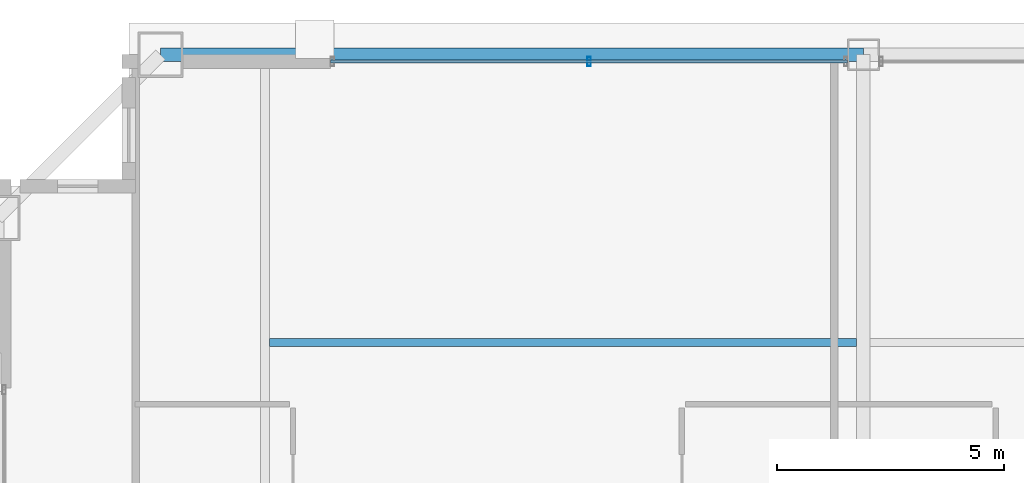
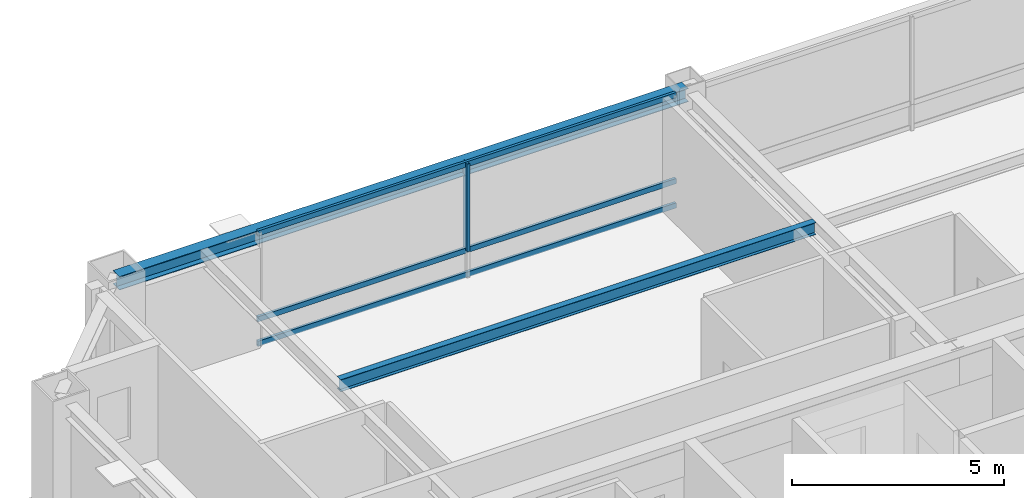
# One storey, part 17 of 34: 4 members, 2 beams, 1 element without a shape of its own.
"""IFC4 building model written with IfcOpenShell, lengths in metres."""

from ifc_helpers import new_model, si_unit, direction, frame, origin, origin_2d, place, context, subcontext, project, spatial, hollow_rectangle, i_section, extrude, source, transform, mapped, material, layer, layer_set, material_profile, profile_set, type_object, element, aggregate, save


model = new_model("IFC4")

# Units and contexts
model_context = context("Model", 3, precision=1e-05, world=origin(), true_north=direction((0.0, 1.0)))
body_context = subcontext(model_context, "Body", "Model", "MODEL_VIEW")
ifc_project = project(units=[si_unit("LENGTHUNIT", "METRE"), si_unit("AREAUNIT", "SQUARE_METRE"), si_unit("VOLUMEUNIT", "CUBIC_METRE"), si_unit("PLANEANGLEUNIT", "RADIAN"), si_unit("MASSUNIT", "GRAM", prefix="KILO"), si_unit("THERMODYNAMICTEMPERATUREUNIT", "KELVIN"), si_unit("POWERUNIT", "WATT")], contexts=[model_context])

# Site, building, storey
site_placement = place(None, origin())
site = spatial("IfcSite", under=ifc_project, at=site_placement, CompositionType="ELEMENT")
building_placement = place(site_placement, origin())
building = spatial("IfcBuilding", under=site, at=building_placement, Name="Yuzanri Waterfront Tower", CompositionType="ELEMENT")
storey_placement = place(building_placement, frame((0.0, 0.0, 325.199951171875)))
storey = spatial("IfcBuildingStorey", under=building, at=storey_placement, Name="L87", CompositionType="ELEMENT", Elevation=325.199951171875)

# Beams
ifc_material_1 = material(Name="Steel Q355B", Category="steel")
ifc_material_profile_1 = material_profile(ifc_material_1, i_section(OverallWidth=0.175048828125, OverallDepth=0.35009765625, WebThickness=0.007080078125, FlangeThickness=0.010986328125, at=origin_2d()), Name="HN 350x175x7x11")
ifc_profile_set_1 = profile_set([ifc_material_profile_1], Name="Steel Q355B")
beam_type_1 = type_object("IfcBeamType", Name="Floor Joist Q355B HN 350x175", PredefinedType="JOIST", material=ifc_profile_set_1)
shared_shape_1 = source(origin(), body_context, "Body", "SweptSolid", [
    extrude(i_section(OverallWidth=0.175048828125, OverallDepth=0.35009765625, WebThickness=0.007080078125, FlangeThickness=0.010986328125, at=origin_2d()), origin(), (0.0, 0.0, 1.0), 12.9501953125),
])
beam_1_placement = place(storey_placement, frame((23.89990234375, 38.550048828125, 3.10498046875), z_axis=(1.0, 0.0, 0.0), x_axis=(0.0, 1.0, 0.0)))
element("IfcBeam", 1, at=beam_1_placement, inside=storey, type_object=beam_type_1, Name="L87 North Bay Joist W", PredefinedType="JOIST", context=body_context, shape_type="MappedRepresentation", body=[
    mapped(shared_shape_1, transform((0.0, 0.0, 0.0), scale=1.0)),
])
ifc_material_2 = material(Name="Steel Q355B", Category="steel")
ifc_material_profile_2 = material_profile(ifc_material_2, i_section(OverallWidth=0.300048828125, OverallDepth=0.389892578125, WebThickness=0.010009765625, FlangeThickness=0.01611328125, at=origin_2d()), Name="HM 390x300x10x16")
ifc_profile_set_2 = profile_set([ifc_material_profile_2], Name="Steel Q355B")
beam_type_2 = type_object("IfcBeamType", Name="Perimeter Spandrel Q355B HM 390x300", PredefinedType="SPANDREL", material=ifc_profile_set_2)
shared_shape_2 = source(origin(), body_context, "Body", "SweptSolid", [
    extrude(i_section(OverallWidth=0.300048828125, OverallDepth=0.389892578125, WebThickness=0.010009765625, FlangeThickness=0.01611328125, at=origin_2d()), origin(), (0.0, 0.0, 1.0), 15.5),
])
beam_2_placement = place(storey_placement, frame((37.0, 44.89990234375, 3.0849609375), z_axis=(-1.0, 0.0, 0.0), x_axis=(0.0, -1.0, 0.0)))
element("IfcBeam", 2, at=beam_2_placement, inside=storey, type_object=beam_type_2, Name="L87 Perimeter Spandrel N2-N1", PredefinedType="SPANDREL", context=body_context, shape_type="MappedRepresentation", body=[
    mapped(shared_shape_2, transform((0.0, 0.0, 0.0), scale=1.0)),
])

# Curtain wall, members
ifc_material_3 = material(Name="Anodized Architectural Bronze", Category="metal")
ifc_layer = layer(ifc_material_3, 0.159912109375)
ifc_layer_set = layer_set([ifc_layer], Name="Anodized Architectural Bronze")
curtain_wall_type = type_object("IfcCurtainWallType", Name="Anodized Bronze High-Rise Penthouse High-Wind Unitized Curtain Wall 6900", PredefinedType="NOTDEFINED", material=ifc_layer_set)
curtain_wall_placement = place(storey_placement, origin())
curtain_wall = element("IfcCurtainWall", 3, at=curtain_wall_placement, inside=storey, type_object=curtain_wall_type, Name="L87 Curtain Wall CW-L87-NL", PredefinedType="NOTDEFINED")
ifc_material_4 = material(Name="Anodized Architectural Bronze", Category="metal")
ifc_material_profile_3 = material_profile(ifc_material_4, hollow_rectangle(XDim=0.074951171875, YDim=0.199951171875, WallThickness=0.00390625, at=origin_2d()), Name="CWM 75x200")
ifc_profile_set_3 = profile_set([ifc_material_profile_3], Name="Anodized Architectural Bronze")
member_type_1 = type_object("IfcMemberType", Name="Anodized Bronze Primary Curtain-Wall Mullion 75x200", PredefinedType="MULLION", material=ifc_profile_set_3)
shared_shape_3 = source(origin(), body_context, "Body", "SweptSolid", [
    extrude(hollow_rectangle(XDim=0.074951171875, YDim=0.199951171875, WallThickness=0.00390625, at=origin_2d()), origin(), (0.0, 0.0, 1.0), 2.52392578125),
])
member_1_placement = place(storey_placement, frame((30.949951171875, 44.75, 0.756103515625), z_axis=(0.0, 0.0, 1.0), x_axis=(1.0, 0.0, 0.0)))
member_1 = element("IfcMember", 4, at=member_1_placement, type_object=member_type_1, Name="CW-L87-NL Upper Mullion 01", PredefinedType="MULLION", context=body_context, shape_type="MappedRepresentation", body=[
    mapped(shared_shape_3, transform((0.0, 0.0, 0.0), scale=1.0)),
])
ifc_material_5 = material(Name="Anodized Architectural Bronze", Category="metal")
ifc_material_profile_4 = material_profile(ifc_material_5, hollow_rectangle(XDim=0.074951171875, YDim=0.14990234375, WallThickness=0.00390625, at=origin_2d()), Name="CWT 75x150")
ifc_profile_set_4 = profile_set([ifc_material_profile_4], Name="Anodized Architectural Bronze")
member_type_2 = type_object("IfcMemberType", Name="Anodized Bronze Primary Curtain-Wall Transom 75x150", PredefinedType="USERDEFINED", material=ifc_profile_set_4)
shared_shape_4 = source(origin(), body_context, "Body", "SweptSolid", [
    extrude(hollow_rectangle(XDim=0.074951171875, YDim=0.14990234375, WallThickness=0.00390625, at=origin_2d()), origin(), (0.0, 0.0, 1.0), 11.39990234375),
])
member_2_placement = place(storey_placement, frame((25.25, 44.75, 0.050048828125), z_axis=(1.0, 0.0, 0.0), x_axis=(0.0, 1.0, 0.0)))
member_2 = element("IfcMember", 5, at=member_2_placement, type_object=member_type_2, Name="CW-L87-NL Transom 1", ObjectType="TRANSOM", PredefinedType="USERDEFINED", context=body_context, shape_type="MappedRepresentation", body=[
    mapped(shared_shape_4, transform((0.0, 0.0, 0.0), scale=1.0)),
])
member_3_placement = place(storey_placement, frame((25.25, 44.75, 0.754150390625), z_axis=(1.0, 0.0, 0.0), x_axis=(0.0, 1.0, 0.0)))
member_3 = element("IfcMember", 6, at=member_3_placement, type_object=member_type_2, Name="CW-L87-NL Transom 2", ObjectType="TRANSOM", PredefinedType="USERDEFINED", context=body_context, shape_type="MappedRepresentation", body=[
    mapped(shared_shape_4, transform((0.0, 0.0, 0.0), scale=1.0)),
])
member_4_placement = place(storey_placement, frame((25.25, 44.75, 3.22998046875), z_axis=(1.0, 0.0, 0.0), x_axis=(0.0, 1.0, 0.0)))
member_4 = element("IfcMember", 7, at=member_4_placement, type_object=member_type_2, Name="CW-L87-NL Transom 3", ObjectType="TRANSOM", PredefinedType="USERDEFINED", context=body_context, shape_type="MappedRepresentation", body=[
    mapped(shared_shape_4, transform((0.0, 0.0, 0.0), scale=1.0)),
])
aggregate(curtain_wall, [member_1, member_2, member_3, member_4])

save(model, "model.ifc")
